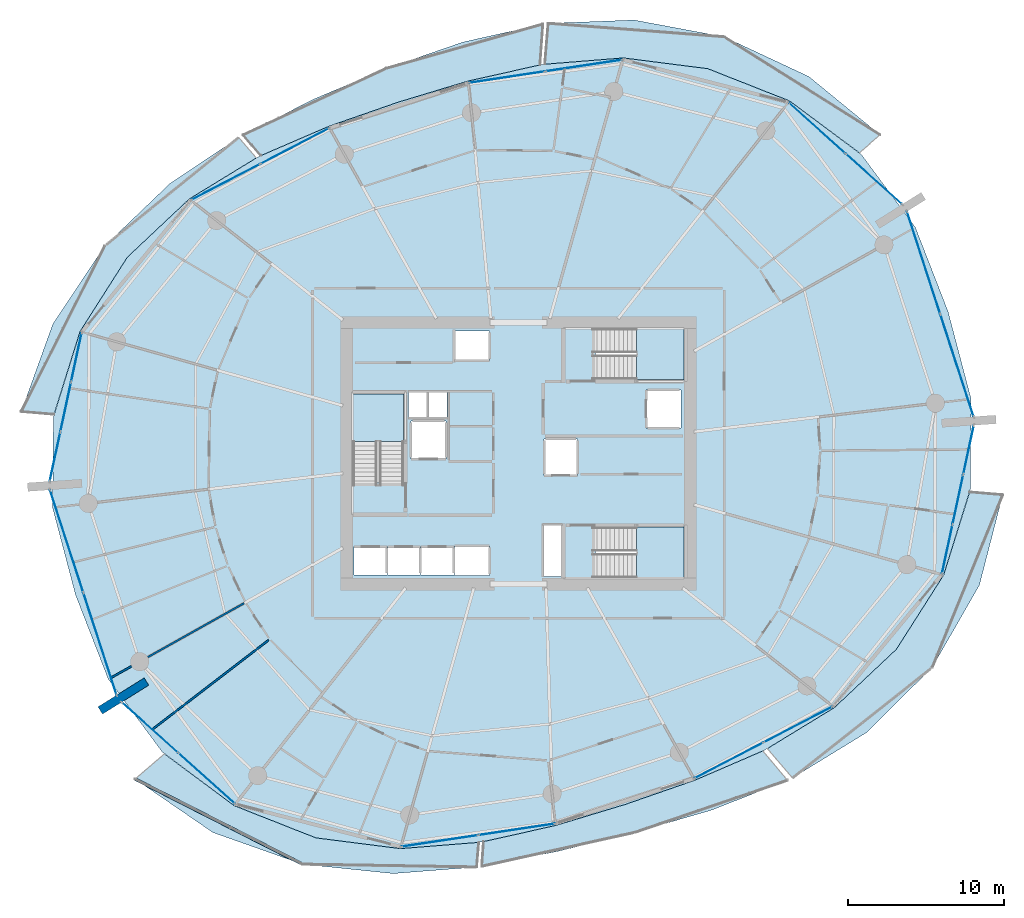
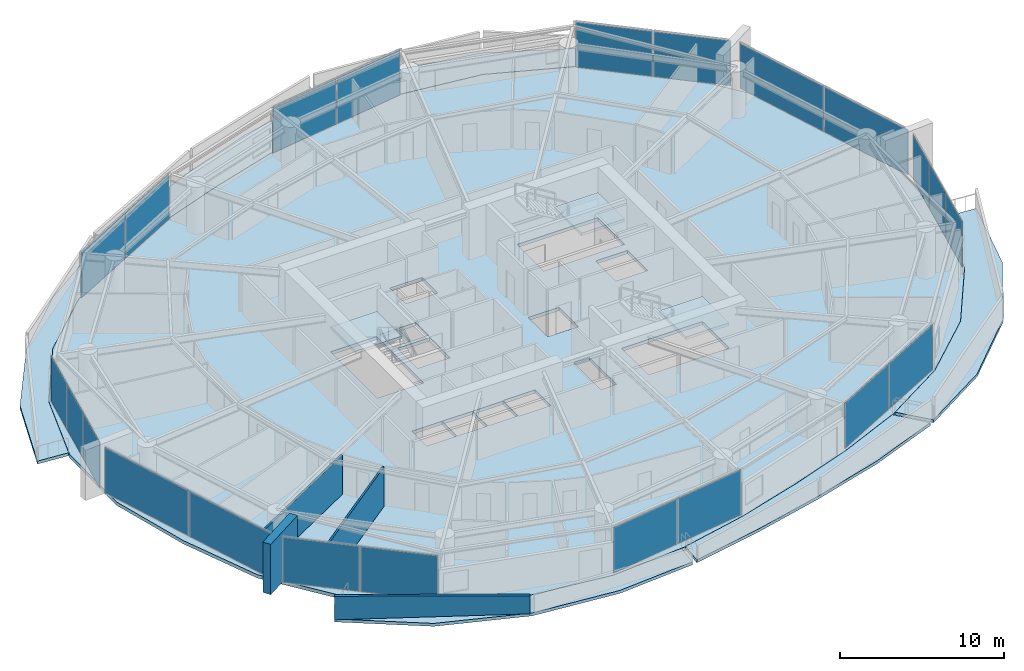
# One storey, part 10 of 22: 22 plates, 10 slabs, 4 walls, 13 elements without a shape of their own.
"""IFC4 building model written with IfcOpenShell, lengths in metres."""

import ifcopenshell
import ifcopenshell.guid

model = None  # the IFC model being written
_history = None  # IfcOwnerHistory: only IFC2X3 demands one
_inside = {}  # id of a spatial element -> (the spatial element, [elements in it])
_under = {}  # id of a project, library or spatial element -> (it, [spatial elements below it])
_declared = {}  # id of a project -> (the project, [libraries it declares])
_typed = {}  # id of a type object -> (the type object, [elements of that type])
_made_of = {}  # id of a material, layer set ... -> (it, [elements and type objects made of it])


def new_model(schema):
    """Start an empty IFC model of exactly this schema.

    Asked for "IFC4X3", IfcOpenShell would pick the latest addendum, in which some entities
    have other attributes; the version numbers below select the first issue.
    IFC2X3 requires an IfcOwnerHistory on every rooted entity: one is made here for all.
    """
    global model, _history
    if schema == "IFC4X3":
        model = ifcopenshell.file(schema_version=(4, 3, 0, 0))
    else:
        model = ifcopenshell.file(schema=schema)
    _inside.clear()
    _under.clear()
    _declared.clear()
    _typed.clear()
    _made_of.clear()
    _history = None
    if model.schema == "IFC2X3":
        org = make("IfcOrganization", Name="unknown")
        user = make(
            "IfcPersonAndOrganization",
            ThePerson=make("IfcPerson", FamilyName="unknown"),
            TheOrganization=org,
        )
        app = make(
            "IfcApplication",
            ApplicationDeveloper=org,
            Version="unknown",
            ApplicationFullName="unknown",
            ApplicationIdentifier="unknown",
        )
        _history = make(
            "IfcOwnerHistory",
            OwningUser=user,
            OwningApplication=app,
            ChangeAction="ADDED",
            CreationDate=0,
        )
    return model


def make(cls, **values):
    """One entity of the class cls with the attributes given. An attribute that is None is left unset."""
    return model.create_entity(
        cls, **{name: value for name, value in values.items() if value is not None}
    )


def rooted(cls, **values):
    """An entity with a GlobalId (a new one), such as an element, a storey or a relation."""
    return make(cls, GlobalId=ifcopenshell.guid.new(), OwnerHistory=_history, **values)


def si_unit(unit_type, name, prefix=None):
    """IfcSIUnit, for example si_unit("LENGTHUNIT", "METRE", prefix="MILLI")."""
    return make("IfcSIUnit", UnitType=unit_type, Prefix=prefix, Name=name)


def assignment(units):
    """IfcUnitAssignment: the units of a project."""
    return None if units is None else make("IfcUnitAssignment", Units=units)


def point(xyz):
    """IfcCartesianPoint."""
    return None if xyz is None else make("IfcCartesianPoint", Coordinates=xyz)


def direction(xyz):
    """IfcDirection."""
    return None if xyz is None else make("IfcDirection", DirectionRatios=xyz)


def frame(location, z_axis=None, x_axis=None):
    """IfcAxis2Placement3D, a coordinate frame: its origin and axes. An axis left out is left unset."""
    return make(
        "IfcAxis2Placement3D",
        Location=point(location),
        Axis=direction(z_axis),
        RefDirection=direction(x_axis),
    )


def frame_2d(location, x_axis=None):
    """IfcAxis2Placement2D, a coordinate frame in the plane: its origin and x axis."""
    return make(
        "IfcAxis2Placement2D", Location=point(location), RefDirection=direction(x_axis)
    )


def origin():
    """The frame at (0, 0, 0) with its axes left unset."""
    return frame((0.0, 0.0, 0.0))


def origin_2d():
    """The frame at (0, 0) in the plane with its x axis left unset."""
    return frame_2d((0.0, 0.0))


def place(relative_to, where):
    """IfcLocalPlacement: puts the frame where relative to a parent placement (None: the world)."""
    return make(
        "IfcLocalPlacement", PlacementRelTo=relative_to, RelativePlacement=where
    )


def context(
    kind, dimensions, precision=None, world=None, true_north=None, identifier=None
):
    """IfcGeometricRepresentationContext, for example the 3D "Model" context."""
    return make(
        "IfcGeometricRepresentationContext",
        ContextIdentifier=identifier,
        ContextType=kind,
        CoordinateSpaceDimension=dimensions,
        Precision=precision,
        WorldCoordinateSystem=world,
        TrueNorth=true_north,
    )


def subcontext(parent, identifier, kind, view, scale=None):
    """IfcGeometricRepresentationSubContext, for example "Body" below "Model"."""
    return make(
        "IfcGeometricRepresentationSubContext",
        ContextIdentifier=identifier,
        ContextType=kind,
        ParentContext=parent,
        TargetScale=scale,
        TargetView=view,
    )


def project(units=None, contexts=None):
    """IfcProject with its units and contexts."""
    return rooted(
        "IfcProject",
        Name="project",
        RepresentationContexts=contexts,
        UnitsInContext=assignment(units),
    )


def spatial(cls, under=None, at=None, **own):
    """A site, building, storey or space (cls), placed at a placement, below another one or the project."""
    s = rooted(cls, ObjectPlacement=at, **own)
    if under is not None:
        _under.setdefault(under.id(), (under, []))[1].append(s)
    return s


def polyline(points):
    """IfcPolyline through the points."""
    return make("IfcPolyline", Points=[point(p) for p in points])


def profile(cls, at=None, kind="AREA", **sizes):
    """A parametric profile (cls). Its sizes go by their IFC names, for example OverallWidth=200.0."""
    return make(cls, ProfileType=kind, Position=at, **sizes)


def rectangle(**sizes):
    """IfcRectangleProfileDef."""
    return profile("IfcRectangleProfileDef", **sizes)


def outline(outer, holes=None, kind="AREA"):
    """IfcArbitraryClosedProfileDef: a profile drawn as a closed curve; with holes, ...WithVoids."""
    if holes is None:
        return make("IfcArbitraryClosedProfileDef", ProfileType=kind, OuterCurve=outer)
    return make(
        "IfcArbitraryProfileDefWithVoids",
        ProfileType=kind,
        OuterCurve=outer,
        InnerCurves=holes,
    )


def extrude(swept, where, along, depth):
    """IfcExtrudedAreaSolid: the profile swept, set in the frame where, extruded along a direction by depth."""
    return make(
        "IfcExtrudedAreaSolid",
        SweptArea=swept,
        Position=where,
        ExtrudedDirection=direction(along),
        Depth=depth,
    )


def shape(context_of_items, identifier, shape_type, items):
    """IfcShapeRepresentation: the items that make up one representation, for example the "Body"."""
    return make(
        "IfcShapeRepresentation",
        ContextOfItems=context_of_items,
        RepresentationIdentifier=identifier,
        RepresentationType=shape_type,
        Items=items,
    )


def material(Name=None, Category=None):
    """IfcMaterial."""
    return make("IfcMaterial", Name=Name, Category=Category)


def layer(
    of_material, thickness, ventilated=None, Name=None, Category=None, Priority=None
):
    """IfcMaterialLayer: one layer of a wall or slab, of a material (None: an air gap)."""
    return make(
        "IfcMaterialLayer",
        Material=of_material,
        LayerThickness=thickness,
        IsVentilated=ventilated,
        Name=Name,
        Category=Category,
        Priority=Priority,
    )


def layer_set(layers, Name=None):
    """IfcMaterialLayerSet."""
    return make("IfcMaterialLayerSet", MaterialLayers=layers, LayerSetName=Name)


def made_of(thing, what):
    """Note that an element or type object is made of a material, layer set ...; save() writes the relation."""
    if what is not None:
        _made_of.setdefault(what.id(), (what, []))[1].append(thing)
    return thing


def type_object(cls, material=None, **own):
    """A type object (cls), such as IfcWallType, which elements share."""
    return made_of(rooted(cls, **own), material)


def element(
    cls,
    number,
    at=None,
    inside=None,
    cuts=None,
    type_object=None,
    material=None,
    context=None,
    identifier="Body",
    shape_type=None,
    held_by="IfcProductDefinitionShape",
    body=None,
    shapes=None,
    **own,
):
    """One element of the class cls, such as IfcWall. Its Tag is "e" and its number.

    at: its placement. inside: the storey or other place that contains it. cuts: it is an
    opening in that element (IfcRelVoidsElement). A single representation is given by context,
    identifier, shape_type and body (its items); several are given by shapes. held_by: the class
    of the entity that holds the representations. save() writes the other relations.
    """
    e = rooted(cls, Tag="e%d" % number, ObjectPlacement=at, **own)
    if body is not None:
        shapes = [shape(context, identifier, shape_type, body)]
    if shapes is not None:
        e.Representation = make(held_by, Representations=shapes)
    if inside is not None:
        _inside.setdefault(inside.id(), (inside, []))[1].append(e)
    if cuts is not None:
        rooted(
            "IfcRelVoidsElement", RelatingBuildingElement=cuts, RelatedOpeningElement=e
        )
    if type_object is not None:
        _typed.setdefault(type_object.id(), (type_object, []))[1].append(e)
    return made_of(e, material)


def aggregate(whole, parts):
    """IfcRelAggregates: a whole, such as a stair, and the parts it consists of."""
    return rooted("IfcRelAggregates", RelatingObject=whole, RelatedObjects=parts)


def save(model, path):
    """Write the relations noted so far, then the file.

    IfcRelAggregates (storeys below a building ...), IfcRelContainedInSpatialStructure (elements
    in a storey), IfcRelDefinesByType, IfcRelAssociatesMaterial and IfcRelDeclares: one each for
    every whole, place, type object, material and project.
    """
    for whole, parts in _under.values():
        aggregate(whole, parts)
    for where, things in _inside.values():
        rooted(
            "IfcRelContainedInSpatialStructure",
            RelatedElements=things,
            RelatingStructure=where,
        )
    for kind, things in _typed.values():
        rooted("IfcRelDefinesByType", RelatedObjects=things, RelatingType=kind)
    for what, things in _made_of.values():
        rooted("IfcRelAssociatesMaterial", RelatedObjects=things, RelatingMaterial=what)
    for by, libraries in _declared.values():
        rooted("IfcRelDeclares", RelatingContext=by, RelatedDefinitions=libraries)
    model.write(path)


model = new_model("IFC4")

# Units and contexts
model_context = context("Model", 3, precision=1e-05, world=origin(), true_north=direction((0.0, 1.0)))
body_context = subcontext(model_context, "Body", "Model", "MODEL_VIEW")
ifc_project = project(units=[si_unit("LENGTHUNIT", "METRE"), si_unit("AREAUNIT", "SQUARE_METRE"), si_unit("VOLUMEUNIT", "CUBIC_METRE"), si_unit("PLANEANGLEUNIT", "RADIAN"), si_unit("MASSUNIT", "GRAM", prefix="KILO")], contexts=[model_context])

# Site, building, storey
site_placement = place(None, origin())
site = spatial("IfcSite", under=ifc_project, at=site_placement, CompositionType="ELEMENT")
building_placement = place(site_placement, origin())
building = spatial("IfcBuilding", under=site, at=building_placement, Name="Kazma Halo Residences", CompositionType="ELEMENT")
storey_placement = place(building_placement, frame((0.0, 0.0, 93.89990234375)))
storey = spatial("IfcBuildingStorey", under=building, at=storey_placement, Name="L23", CompositionType="ELEMENT", Elevation=93.89990234375)

# Curtain wall, plates
ifc_material_1 = material(Name="Aluminium AW-6063 T6 and Triple-Silver Low-E Glass", Category="aluminium")
ifc_layer_1 = layer(ifc_material_1, 0.199951171875)
ifc_layer_set_1 = layer_set([ifc_layer_1], Name="Aluminium AW-6063 T6 and Triple-Silver Low-E Glass")
curtain_wall_type = type_object("IfcCurtainWallType", Name="CW-SYS-3", PredefinedType="NOTDEFINED", material=ifc_layer_set_1)
curtain_wall_1_placement = place(storey_placement, origin())
curtain_wall_1 = element("IfcCurtainWall", 1, at=curtain_wall_1_placement, inside=storey, type_object=curtain_wall_type, Name="L23 unitised curtain wall B01", PredefinedType="NOTDEFINED")
ifc_material_2 = material(Name="Clear Triple-Silver Low-E Glass IGU", Category="glass")
ifc_layer_2 = layer(ifc_material_2, 0.030029296875)
ifc_layer_set_2 = layer_set([ifc_layer_2], Name="Clear Triple-Silver Low-E Glass IGU")
plate_type = type_object("IfcPlateType", Name="CW-SYS-3-PNL", PredefinedType="CURTAIN_PANEL", material=ifc_layer_set_2)
plate_1_placement = place(storey_placement, frame((71.251220703125, 59.614013671875, 0.06982421875), z_axis=(0.0, 0.0, 1.0), x_axis=(-0.744345279359, 0.667794957375, 0.0)))
plate_1 = element("IfcPlate", 2, at=plate_1_placement, type_object=plate_type, Name="CWS-3 panel 1.1", PredefinedType="CURTAIN_PANEL", context=body_context, shape_type="SweptSolid", body=[
    extrude(rectangle(XDim=4.81982421875, YDim=0.030029296875, at=origin_2d()), origin(), (0.0, 0.0, 1.0), 3.360107421875),
])
plate_2_placement = place(storey_placement, frame((67.611572265625, 62.87939453125, 0.06982421875), z_axis=(0.0, 0.0, 1.0), x_axis=(-0.744345279359, 0.667794957375, 0.0)))
plate_2 = element("IfcPlate", 3, at=plate_2_placement, type_object=plate_type, Name="CWS-3 panel 2.1", PredefinedType="CURTAIN_PANEL", context=body_context, shape_type="SweptSolid", body=[
    extrude(rectangle(XDim=4.81982421875, YDim=0.030029296875, at=origin_2d()), origin(), (0.0, 0.0, 1.0), 3.360107421875),
])
aggregate(curtain_wall_1, [plate_1, plate_2])

curtain_wall_2_placement = place(storey_placement, origin())
curtain_wall_2 = element("IfcCurtainWall", 4, at=curtain_wall_2_placement, inside=storey, type_object=curtain_wall_type, Name="L23 unitised curtain wall B03", PredefinedType="NOTDEFINED")
plate_3_placement = place(storey_placement, frame((52.625732421875, 66.900390625, 0.06982421875), z_axis=(0.0, 0.0, 1.0), x_axis=(-0.988879747814, -0.148717330409, 0.0)))
plate_3 = element("IfcPlate", 5, at=plate_3_placement, type_object=plate_type, Name="CWS-3 panel 1.1", PredefinedType="CURTAIN_PANEL", context=body_context, shape_type="SweptSolid", body=[
    extrude(rectangle(XDim=4.922607421875, YDim=0.030029296875, at=origin_2d()), origin(), (0.0, 0.0, 1.0), 3.360107421875),
])
plate_4_placement = place(storey_placement, frame((47.6884765625, 66.157958984375, 0.06982421875), z_axis=(0.0, 0.0, 1.0), x_axis=(-0.988879747814, -0.148717330409, 0.0)))
plate_4 = element("IfcPlate", 6, at=plate_4_placement, type_object=plate_type, Name="CWS-3 panel 2.1", PredefinedType="CURTAIN_PANEL", context=body_context, shape_type="SweptSolid", body=[
    extrude(rectangle(XDim=4.922607421875, YDim=0.030029296875, at=origin_2d()), origin(), (0.0, 0.0, 1.0), 3.360107421875),
])
aggregate(curtain_wall_2, [plate_3, plate_4])

curtain_wall_3_placement = place(storey_placement, origin())
curtain_wall_3 = element("IfcCurtainWall", 7, at=curtain_wall_3_placement, inside=storey, type_object=curtain_wall_type, Name="L23 unitised curtain wall B05", PredefinedType="NOTDEFINED")
plate_5_placement = place(storey_placement, frame((34.052490234375, 61.727294921875, 0.06982421875), z_axis=(0.0, 0.0, 1.0), x_axis=(-0.887435374749, -0.460932159481, 0.0)))
plate_5 = element("IfcPlate", 8, at=plate_5_placement, type_object=plate_type, Name="CWS-3 panel 1.1", PredefinedType="CURTAIN_PANEL", context=body_context, shape_type="SweptSolid", body=[
    extrude(rectangle(XDim=4.9228515625, YDim=0.030029296875, at=origin_2d()), origin(), (0.0, 0.0, 1.0), 3.360107421875),
])
plate_6_placement = place(storey_placement, frame((29.62158203125, 59.426025390625, 0.06982421875), z_axis=(0.0, 0.0, 1.0), x_axis=(-0.887435374749, -0.460932159481, 0.0)))
plate_6 = element("IfcPlate", 9, at=plate_6_placement, type_object=plate_type, Name="CWS-3 panel 2.1", PredefinedType="CURTAIN_PANEL", context=body_context, shape_type="SweptSolid", body=[
    extrude(rectangle(XDim=4.9228515625, YDim=0.030029296875, at=origin_2d()), origin(), (0.0, 0.0, 1.0), 3.360107421875),
])
aggregate(curtain_wall_3, [plate_5, plate_6])

curtain_wall_4_placement = place(storey_placement, origin())
curtain_wall_4 = element("IfcCurtainWall", 10, at=curtain_wall_4_placement, inside=storey, type_object=curtain_wall_type, Name="L23 unitised curtain wall B07", PredefinedType="NOTDEFINED")
plate_7_placement = place(storey_placement, frame((20.033447265625, 48.1669921875, 0.06982421875), z_axis=(0.0, 0.0, 1.0), x_axis=(-0.209660822677, -0.977774176093, 0.0)))
plate_7 = element("IfcPlate", 11, at=plate_7_placement, type_object=plate_type, Name="CWS-3 panel 1.1", PredefinedType="CURTAIN_PANEL", context=body_context, shape_type="SweptSolid", body=[
    extrude(rectangle(XDim=3.17822265625, YDim=0.030029296875, at=origin_2d()), origin(), (0.0, 0.0, 1.0), 3.360107421875),
])
plate_8_placement = place(storey_placement, frame((19.3486328125, 44.973876953125, 0.06982421875), z_axis=(0.0, 0.0, 1.0), x_axis=(-0.209660822677, -0.977774176093, 0.0)))
plate_8 = element("IfcPlate", 12, at=plate_8_placement, type_object=plate_type, Name="CWS-3 panel 2.1", PredefinedType="CURTAIN_PANEL", context=body_context, shape_type="SweptSolid", body=[
    extrude(rectangle(XDim=3.213134765625, YDim=0.030029296875, at=origin_2d()), origin(), (0.0, 0.0, 1.0), 3.360107421875),
])
plate_9_placement = place(storey_placement, frame((18.6640625, 41.78076171875, 0.06982421875), z_axis=(0.0, 0.0, 1.0), x_axis=(-0.209660822677, -0.977774176093, 0.0)))
plate_9 = element("IfcPlate", 13, at=plate_9_placement, type_object=plate_type, Name="CWS-3 panel 3.1", PredefinedType="CURTAIN_PANEL", context=body_context, shape_type="SweptSolid", body=[
    extrude(rectangle(XDim=3.17822265625, YDim=0.030029296875, at=origin_2d()), origin(), (0.0, 0.0, 1.0), 3.360107421875),
])
aggregate(curtain_wall_4, [plate_7, plate_8, plate_9])

curtain_wall_5_placement = place(storey_placement, origin())
curtain_wall_5 = element("IfcCurtainWall", 14, at=curtain_wall_5_placement, inside=storey, type_object=curtain_wall_type, Name="L23 unitised curtain wall B08", PredefinedType="NOTDEFINED")
plate_10_placement = place(storey_placement, frame((19.40673828125, 36.357421875, 0.06982421875), z_axis=(0.0, 0.0, 1.0), x_axis=(0.309013282008, -0.951057722508, 0.0)))
plate_10 = element("IfcPlate", 15, at=plate_10_placement, type_object=plate_type, Name="CWS-3 panel 1.1", PredefinedType="CURTAIN_PANEL", context=body_context, shape_type="SweptSolid", body=[
    extrude(rectangle(XDim=6.868896484375, YDim=0.030029296875, at=origin_2d()), origin(), (0.0, 0.0, 1.0), 3.360107421875),
])
plate_11_placement = place(storey_placement, frame((21.551025390625, 29.758056640625, 0.06982421875), z_axis=(0.0, 0.0, 1.0), x_axis=(0.309013282008, -0.951057722508, 0.0)))
plate_11 = element("IfcPlate", 16, at=plate_11_placement, type_object=plate_type, Name="CWS-3 panel 2.1", PredefinedType="CURTAIN_PANEL", context=body_context, shape_type="SweptSolid", body=[
    extrude(rectangle(XDim=6.868896484375, YDim=0.030029296875, at=origin_2d()), origin(), (0.0, 0.0, 1.0), 3.360107421875),
])
aggregate(curtain_wall_5, [plate_10, plate_11])

curtain_wall_6_placement = place(storey_placement, origin())
curtain_wall_6 = element("IfcCurtainWall", 17, at=curtain_wall_6_placement, inside=storey, type_object=curtain_wall_type, Name="L23 unitised curtain wall B09", PredefinedType="NOTDEFINED")
plate_12_placement = place(storey_placement, frame((24.748779296875, 24.385986328125, 0.06982421875), z_axis=(0.0, 0.0, 1.0), x_axis=(0.744345279359, -0.667794957375, 0.0)))
plate_12 = element("IfcPlate", 18, at=plate_12_placement, type_object=plate_type, Name="CWS-3 panel 1.1", PredefinedType="CURTAIN_PANEL", context=body_context, shape_type="SweptSolid", body=[
    extrude(rectangle(XDim=4.81982421875, YDim=0.030029296875, at=origin_2d()), origin(), (0.0, 0.0, 1.0), 3.360107421875),
])
plate_13_placement = place(storey_placement, frame((28.388427734375, 21.12060546875, 0.06982421875), z_axis=(0.0, 0.0, 1.0), x_axis=(0.744345279359, -0.667794957375, 0.0)))
plate_13 = element("IfcPlate", 19, at=plate_13_placement, type_object=plate_type, Name="CWS-3 panel 2.1", PredefinedType="CURTAIN_PANEL", context=body_context, shape_type="SweptSolid", body=[
    extrude(rectangle(XDim=4.81982421875, YDim=0.030029296875, at=origin_2d()), origin(), (0.0, 0.0, 1.0), 3.360107421875),
])
aggregate(curtain_wall_6, [plate_12, plate_13])

curtain_wall_7_placement = place(storey_placement, origin())
curtain_wall_7 = element("IfcCurtainWall", 20, at=curtain_wall_7_placement, inside=storey, type_object=curtain_wall_type, Name="L23 unitised curtain wall B11", PredefinedType="NOTDEFINED")
plate_14_placement = place(storey_placement, frame((43.374267578125, 17.099609375, 0.06982421875), z_axis=(0.0, 0.0, 1.0), x_axis=(0.988879747814, 0.148717330409, 0.0)))
plate_14 = element("IfcPlate", 21, at=plate_14_placement, type_object=plate_type, Name="CWS-3 panel 1.1", PredefinedType="CURTAIN_PANEL", context=body_context, shape_type="SweptSolid", body=[
    extrude(rectangle(XDim=4.922607421875, YDim=0.030029296875, at=origin_2d()), origin(), (0.0, 0.0, 1.0), 3.360107421875),
])
plate_15_placement = place(storey_placement, frame((48.3115234375, 17.842041015625, 0.06982421875), z_axis=(0.0, 0.0, 1.0), x_axis=(0.988879747814, 0.148717330409, 0.0)))
plate_15 = element("IfcPlate", 22, at=plate_15_placement, type_object=plate_type, Name="CWS-3 panel 2.1", PredefinedType="CURTAIN_PANEL", context=body_context, shape_type="SweptSolid", body=[
    extrude(rectangle(XDim=4.922607421875, YDim=0.030029296875, at=origin_2d()), origin(), (0.0, 0.0, 1.0), 3.360107421875),
])
aggregate(curtain_wall_7, [plate_14, plate_15])

curtain_wall_8_placement = place(storey_placement, origin())
curtain_wall_8 = element("IfcCurtainWall", 23, at=curtain_wall_8_placement, inside=storey, type_object=curtain_wall_type, Name="L23 unitised curtain wall B13", PredefinedType="NOTDEFINED")
plate_16_placement = place(storey_placement, frame((61.947509765625, 22.272705078125, 0.06982421875), z_axis=(0.0, 0.0, 1.0), x_axis=(0.887435374749, 0.460932159481, 0.0)))
plate_16 = element("IfcPlate", 24, at=plate_16_placement, type_object=plate_type, Name="CWS-3 panel 1.1", PredefinedType="CURTAIN_PANEL", context=body_context, shape_type="SweptSolid", body=[
    extrude(rectangle(XDim=4.9228515625, YDim=0.030029296875, at=origin_2d()), origin(), (0.0, 0.0, 1.0), 3.360107421875),
])
plate_17_placement = place(storey_placement, frame((66.37841796875, 24.573974609375, 0.06982421875), z_axis=(0.0, 0.0, 1.0), x_axis=(0.887435374749, 0.460932159481, 0.0)))
plate_17 = element("IfcPlate", 25, at=plate_17_placement, type_object=plate_type, Name="CWS-3 panel 2.1", PredefinedType="CURTAIN_PANEL", context=body_context, shape_type="SweptSolid", body=[
    extrude(rectangle(XDim=4.9228515625, YDim=0.030029296875, at=origin_2d()), origin(), (0.0, 0.0, 1.0), 3.360107421875),
])
aggregate(curtain_wall_8, [plate_16, plate_17])

curtain_wall_9_placement = place(storey_placement, origin())
curtain_wall_9 = element("IfcCurtainWall", 26, at=curtain_wall_9_placement, inside=storey, type_object=curtain_wall_type, Name="L23 unitised curtain wall B15", PredefinedType="NOTDEFINED")
plate_18_placement = place(storey_placement, frame((75.966552734375, 35.8330078125, 0.06982421875), z_axis=(0.0, 0.0, 1.0), x_axis=(0.209660822677, 0.977774176093, 0.0)))
plate_18 = element("IfcPlate", 27, at=plate_18_placement, type_object=plate_type, Name="CWS-3 panel 1.1", PredefinedType="CURTAIN_PANEL", context=body_context, shape_type="SweptSolid", body=[
    extrude(rectangle(XDim=3.17822265625, YDim=0.030029296875, at=origin_2d()), origin(), (0.0, 0.0, 1.0), 3.360107421875),
])
plate_19_placement = place(storey_placement, frame((76.6513671875, 39.026123046875, 0.06982421875), z_axis=(0.0, 0.0, 1.0), x_axis=(0.209660822677, 0.977774176093, 0.0)))
plate_19 = element("IfcPlate", 28, at=plate_19_placement, type_object=plate_type, Name="CWS-3 panel 2.1", PredefinedType="CURTAIN_PANEL", context=body_context, shape_type="SweptSolid", body=[
    extrude(rectangle(XDim=3.213134765625, YDim=0.030029296875, at=origin_2d()), origin(), (0.0, 0.0, 1.0), 3.360107421875),
])
plate_20_placement = place(storey_placement, frame((77.3359375, 42.21923828125, 0.06982421875), z_axis=(0.0, 0.0, 1.0), x_axis=(0.209660822677, 0.977774176093, 0.0)))
plate_20 = element("IfcPlate", 29, at=plate_20_placement, type_object=plate_type, Name="CWS-3 panel 3.1", PredefinedType="CURTAIN_PANEL", context=body_context, shape_type="SweptSolid", body=[
    extrude(rectangle(XDim=3.17822265625, YDim=0.030029296875, at=origin_2d()), origin(), (0.0, 0.0, 1.0), 3.360107421875),
])
aggregate(curtain_wall_9, [plate_18, plate_19, plate_20])

curtain_wall_10_placement = place(storey_placement, origin())
curtain_wall_10 = element("IfcCurtainWall", 30, at=curtain_wall_10_placement, inside=storey, type_object=curtain_wall_type, Name="L23 unitised curtain wall B16", PredefinedType="NOTDEFINED")
plate_21_placement = place(storey_placement, frame((76.59326171875, 47.642578125, 0.06982421875), z_axis=(0.0, 0.0, 1.0), x_axis=(-0.309013282008, 0.951057722508, 0.0)))
plate_21 = element("IfcPlate", 31, at=plate_21_placement, type_object=plate_type, Name="CWS-3 panel 1.1", PredefinedType="CURTAIN_PANEL", context=body_context, shape_type="SweptSolid", body=[
    extrude(rectangle(XDim=6.868896484375, YDim=0.030029296875, at=origin_2d()), origin(), (0.0, 0.0, 1.0), 3.360107421875),
])
plate_22_placement = place(storey_placement, frame((74.448974609375, 54.241943359375, 0.06982421875), z_axis=(0.0, 0.0, 1.0), x_axis=(-0.309013282008, 0.951057722508, 0.0)))
plate_22 = element("IfcPlate", 32, at=plate_22_placement, type_object=plate_type, Name="CWS-3 panel 2.1", PredefinedType="CURTAIN_PANEL", context=body_context, shape_type="SweptSolid", body=[
    extrude(rectangle(XDim=6.868896484375, YDim=0.030029296875, at=origin_2d()), origin(), (0.0, 0.0, 1.0), 3.360107421875),
])
aggregate(curtain_wall_10, [plate_21, plate_22])

# Slabs
ifc_material_3 = material(Name="White Concrete C50/60", Category="concrete")
ifc_layer_3 = layer(ifc_material_3, 0.219970703125)
ifc_layer_set_3 = layer_set([ifc_layer_3], Name="White Concrete C50/60")
slab_type_1 = type_object("IfcSlabType", Name="SLB-BAL-WAVE-210", PredefinedType="FLOOR", material=ifc_layer_set_3)
slab_1_placement = place(storey_placement, frame((0.0, 0.0, -0.219970703125)))
element("IfcSlab", 33, at=slab_1_placement, inside=storey, type_object=slab_type_1, Name="L23 NE cantilevered wave balcony slab", PredefinedType="FLOOR", context=body_context, shape_type="SweptSolid", body=[
    extrude(outline(polyline([(70.323974609375, 61.303466796875), (65.841064453125, 64.63134765625), (60.5869140625, 66.702880859375), (55.161865234375, 67.394287109375), (50.12060546875, 66.992431640625), (50.343017578125, 69.61279296875), (55.848876953125, 69.82958984375), (61.629638671875, 68.74951171875), (67.0771484375, 66.19921875), (71.654541015625, 62.4541015625), (70.323974609375, 61.303466796875)])), origin(), (0.0, 0.0, 1.0), 0.219970703125),
])
slab_2_placement = place(storey_placement, frame((0.0, 0.0, -0.219970703125)))
element("IfcSlab", 34, at=slab_2_placement, inside=storey, type_object=slab_type_1, Name="L23 NNW cantilevered wave balcony slab", PredefinedType="FLOOR", context=body_context, shape_type="SweptSolid", body=[
    extrude(outline(polyline([(49.81005859375, 66.94580078125), (45.1708984375, 65.902587890625), (40.675048828125, 64.544189453125), (36.239013671875, 63.00048828125), (31.872802734375, 61.11767578125), (30.748291015625, 62.450927734375), (35.263671875, 64.742431640625), (39.965087890625, 66.728759765625), (44.87353515625, 68.41552734375), (50.0, 69.56396484375), (49.81005859375, 66.94580078125)])), origin(), (0.0, 0.0, 1.0), 0.219970703125),
])
slab_3_placement = place(storey_placement, frame((0.0, 0.0, -0.219970703125)))
element("IfcSlab", 35, at=slab_3_placement, inside=storey, type_object=slab_type_1, Name="L23 NW cantilevered wave balcony slab", PredefinedType="FLOOR", context=body_context, shape_type="SweptSolid", body=[
    extrude(outline(polyline([(31.59423828125, 60.972900390625), (27.279541015625, 58.334716796875), (23.297119140625, 54.5869140625), (20.263916015625, 49.822509765625), (18.59326171875, 44.4951171875), (16.490234375, 44.673583984375), (18.522705078125, 50.3134765625), (21.855712890625, 55.321044921875), (26.032470703125, 59.31787109375), (30.458984375, 62.285400390625), (31.59423828125, 60.972900390625)])), origin(), (0.0, 0.0, 1.0), 0.219970703125),
])
slab_4_placement = place(storey_placement, frame((0.0, 0.0, -0.219970703125)))
element("IfcSlab", 36, at=slab_4_placement, inside=storey, type_object=slab_type_1, Name="L23 SW cantilevered wave balcony slab", PredefinedType="FLOOR", context=body_context, shape_type="SweptSolid", body=[
    extrude(outline(polyline([(25.676025390625, 22.696533203125), (30.158935546875, 19.36865234375), (35.4130859375, 17.297119140625), (40.838134765625, 16.605712890625), (45.87939453125, 17.007568359375), (45.744873046875, 15.42333984375), (40.385986328125, 15.002685546875), (34.551025390625, 15.60498046875), (28.797119140625, 17.641357421875), (23.79931640625, 21.07373046875), (25.676025390625, 22.696533203125)])), origin(), (0.0, 0.0, 1.0), 0.219970703125),
])
slab_5_placement = place(storey_placement, frame((0.0, 0.0, -0.219970703125)))
element("IfcSlab", 37, at=slab_5_placement, inside=storey, type_object=slab_type_1, Name="L23 SSE cantilevered wave balcony slab", PredefinedType="FLOOR", context=body_context, shape_type="SweptSolid", body=[
    extrude(outline(polyline([(46.18994140625, 17.05419921875), (50.8291015625, 18.097412109375), (55.324951171875, 19.455810546875), (59.760986328125, 20.99951171875), (64.127197265625, 22.88232421875), (65.71728515625, 20.997314453125), (60.835693359375, 19.08056640625), (55.911865234375, 17.64990234375), (51.02490234375, 16.443359375), (46.0751953125, 15.47314453125), (46.18994140625, 17.05419921875)])), origin(), (0.0, 0.0, 1.0), 0.219970703125),
])
slab_6_placement = place(storey_placement, frame((0.0, 0.0, -0.219970703125)))
element("IfcSlab", 38, at=slab_6_placement, inside=storey, type_object=slab_type_1, Name="L23 SE cantilevered wave balcony slab", PredefinedType="FLOOR", context=body_context, shape_type="SweptSolid", body=[
    extrude(outline(polyline([(64.40576171875, 23.027099609375), (68.720458984375, 25.665283203125), (72.702880859375, 29.4130859375), (75.736083984375, 34.177490234375), (77.40673828125, 39.5048828125), (79.52880859375, 39.32470703125), (78.033447265625, 33.52978515625), (75.000244140625, 28.24267578125), (70.768798828125, 24.050537109375), (66.03076171875, 21.148193359375), (64.40576171875, 23.027099609375)])), origin(), (0.0, 0.0, 1.0), 0.219970703125),
])
ifc_material_4 = material(Name="Concrete C50/60", Category="concrete")
ifc_layer_4 = layer(ifc_material_4, 0.25)
ifc_layer_set_4 = layer_set([ifc_layer_4], Name="Concrete C50/60")
slab_type_2 = type_object("IfcSlabType", Name="SLB-RES-250", PredefinedType="FLOOR", material=ifc_layer_set_4)
slab_7_placement = place(storey_placement, frame((0.0, 0.0, -0.25)))
element("IfcSlab", 39, at=slab_7_placement, inside=storey, type_object=slab_type_2, Name="L23 structural floor slab", PredefinedType="FLOOR", context=body_context, shape_type="SweptSolid", body=[
    extrude(outline(polyline([(76.02001953125, 51.104248046875), (73.918212890625, 56.514892578125), (70.459716796875, 61.182373046875), (65.83984375, 64.629638671875), (60.5859375, 66.701171875), (55.161376953125, 67.392333984375), (49.9658203125, 66.976806640625), (45.171142578125, 65.900634765625), (40.675537109375, 64.542236328125), (36.239990234375, 62.998779296875), (31.728759765625, 61.05126953125), (27.281005859375, 58.33349609375), (23.298828125, 54.5859375), (20.265869140625, 49.82177734375), (18.554443359375, 44.3173828125), (18.500244140625, 38.508544921875), (19.97998046875, 32.895751953125), (22.081787109375, 27.485107421875), (25.540283203125, 22.817626953125), (30.16015625, 19.370361328125), (35.4140625, 17.298828125), (40.838623046875, 16.607666015625), (46.0341796875, 17.023193359375), (50.828857421875, 18.099365234375), (55.324462890625, 19.457763671875), (59.760009765625, 21.001220703125), (64.271240234375, 22.94873046875), (68.718994140625, 25.66650390625), (72.701171875, 29.4140625), (75.734130859375, 34.17822265625), (77.445556640625, 39.6826171875), (77.499755859375, 45.491455078125), (76.02001953125, 51.104248046875)]), holes=[polyline([(37.800048828125, 40.110107421875), (41.050048828125, 40.110107421875), (41.050048828125, 45.800048828125), (37.800048828125, 45.800048828125), (37.800048828125, 40.110107421875)]), polyline([(53.360107421875, 46.75), (59.050048828125, 46.75), (59.050048828125, 50.0), (53.360107421875, 50.0), (53.360107421875, 46.75)]), polyline([(53.360107421875, 34.0), (59.050048828125, 34.0), (59.050048828125, 37.25), (53.360107421875, 37.25), (53.360107421875, 34.0)]), polyline([(41.52001953125, 41.6201171875), (43.780029296875, 41.6201171875), (43.780029296875, 44.080078125), (41.52001953125, 44.080078125), (41.52001953125, 41.6201171875)]), polyline([(56.6201171875, 43.6201171875), (58.8798828125, 43.6201171875), (58.8798828125, 46.080078125), (56.6201171875, 46.080078125), (56.6201171875, 43.6201171875)]), polyline([(37.864990234375, 34.195068359375), (39.97509765625, 34.195068359375), (39.97509765625, 36.0048828125), (37.864990234375, 36.0048828125), (37.864990234375, 34.195068359375)]), polyline([(40.014892578125, 34.195068359375), (42.125, 34.195068359375), (42.125, 36.0048828125), (40.014892578125, 36.0048828125), (40.014892578125, 34.195068359375)]), polyline([(42.1650390625, 34.195068359375), (44.27490234375, 34.195068359375), (44.27490234375, 36.0048828125), (42.1650390625, 36.0048828125), (42.1650390625, 34.195068359375)]), polyline([(44.320068359375, 47.945068359375), (46.580078125, 47.945068359375), (46.580078125, 49.85498046875), (44.320068359375, 49.85498046875), (44.320068359375, 47.945068359375)]), polyline([(44.320068359375, 34.14501953125), (46.580078125, 34.14501953125), (46.580078125, 36.054931640625), (44.320068359375, 36.054931640625), (44.320068359375, 34.14501953125)]), polyline([(50.070068359375, 40.570068359375), (52.22998046875, 40.570068359375), (52.22998046875, 42.929931640625), (50.070068359375, 42.929931640625), (50.070068359375, 40.570068359375)]), polyline([(41.360107421875, 44.340087890625), (42.5400390625, 44.340087890625), (42.5400390625, 45.89990234375), (41.360107421875, 45.89990234375), (41.360107421875, 44.340087890625)]), polyline([(42.659912109375, 44.340087890625), (43.840087890625, 44.340087890625), (43.840087890625, 45.89990234375), (42.659912109375, 45.89990234375), (42.659912109375, 44.340087890625)]), polyline([(50.06005859375, 34.080078125), (51.159912109375, 34.080078125), (51.159912109375, 37.3798828125), (50.06005859375, 37.3798828125), (50.06005859375, 34.080078125)])]), origin(), (0.0, 0.0, 1.0), 0.25),
])

# Stair, slab
stair_type = type_object("IfcStairType", Name="STR-RES1", PredefinedType="HALF_TURN_STAIR", material=ifc_material_4)
stair_1_placement = place(storey_placement, origin())
stair_1 = element("IfcStair", 40, at=stair_1_placement, inside=storey, type_object=stair_type, Name="L23 Core exit stair ST-01", PredefinedType="HALF_TURN_STAIR")
ifc_layer_5 = layer(ifc_material_4, 0.199951171875)
ifc_layer_set_5 = layer_set([ifc_layer_5], Name="Concrete C50/60")
slab_type_3 = type_object("IfcSlabType", Name="SLB-STAIR-LND-200", PredefinedType="LANDING", material=ifc_layer_set_5)
slab_8_placement = place(storey_placement, frame((0.0, 0.0, 1.675048828125)))
slab_8 = element("IfcSlab", 41, at=slab_8_placement, type_object=slab_type_3, Name="ST-01 landing 1", PredefinedType="LANDING", context=body_context, shape_type="SweptSolid", body=[
    extrude(outline(polyline([(41.050048828125, 42.75), (41.050048828125, 45.800048828125), (37.800048828125, 45.800048828125), (37.800048828125, 42.75), (41.050048828125, 42.75)])), origin(), (0.0, 0.0, 1.0), 0.199951171875),
])
aggregate(stair_1, [slab_8])

stair_2_placement = place(storey_placement, origin())
stair_2 = element("IfcStair", 42, at=stair_2_placement, inside=storey, type_object=stair_type, Name="L23 Core exit stair ST-02", PredefinedType="HALF_TURN_STAIR")
slab_9_placement = place(storey_placement, frame((0.0, 0.0, 1.675048828125)))
slab_9 = element("IfcSlab", 43, at=slab_9_placement, type_object=slab_type_3, Name="ST-02 landing 1", PredefinedType="LANDING", context=body_context, shape_type="SweptSolid", body=[
    extrude(outline(polyline([(56.0, 46.75), (59.050048828125, 46.75), (59.050048828125, 50.0), (56.0, 50.0), (56.0, 46.75)])), origin(), (0.0, 0.0, 1.0), 0.199951171875),
])
aggregate(stair_2, [slab_9])

stair_3_placement = place(storey_placement, origin())
stair_3 = element("IfcStair", 44, at=stair_3_placement, inside=storey, type_object=stair_type, Name="L23 Core exit stair ST-03", PredefinedType="HALF_TURN_STAIR")
slab_10_placement = place(storey_placement, frame((0.0, 0.0, 1.675048828125)))
slab_10 = element("IfcSlab", 45, at=slab_10_placement, type_object=slab_type_3, Name="ST-03 landing 1", PredefinedType="LANDING", context=body_context, shape_type="SweptSolid", body=[
    extrude(outline(polyline([(56.0, 34.0), (59.050048828125, 34.0), (59.050048828125, 37.25), (56.0, 37.25), (56.0, 34.0)])), origin(), (0.0, 0.0, 1.0), 0.199951171875),
])
aggregate(stair_3, [slab_10])

# Walls
ifc_material_5 = material(Name="White Concrete C50/60 Balustrade", Category="concrete")
ifc_layer_6 = layer(ifc_material_5, 0.179931640625)
ifc_layer_set_6 = layer_set([ifc_layer_6], Name="White Concrete C50/60 Balustrade")
wall_type_1 = type_object("IfcWallType", Name="WL-BAL-WAVE-180", PredefinedType="PARAPET", material=ifc_layer_set_6)
wall_1_placement = place(storey_placement, frame((23.79931640625, 21.07373046875, 0.0), z_axis=(0.0, 0.0, 1.0), x_axis=(0.891327308183, -0.453360375074, 0.0)))
element("IfcWall", 46, at=wall_1_placement, inside=storey, type_object=wall_type_1, Name="L23 white wave balustrade wall SW.1", PredefinedType="PARAPET", context=body_context, shape_type="SweptSolid", body=[
    extrude(outline(polyline([(0.0, 0.0), (11.942626953125, 0.0), (11.9423828125, 1.34814453125), (5.97119140625, 1.56201171875), (0.0, 1.7470703125), (0.0, 0.0)])), frame((0.0, 0.08984375, 0.0), z_axis=(0.0, -1.0, 0.0), x_axis=(1.0, 0.0, 0.0)), (0.0, 0.0, 1.0), 0.179931640625),
])
ifc_material_6 = material(Name="Pale Concrete C60/75", Category="concrete")
ifc_layer_7 = layer(ifc_material_6, 0.550048828125)
ifc_layer_set_7 = layer_set([ifc_layer_7], Name="Pale Concrete C60/75")
wall_type_2 = type_object("IfcWallType", Name="WL-BLADE-550", PredefinedType="SOLIDWALL", material=ifc_layer_set_7)
wall_2_placement = place(storey_placement, frame((24.531494140625, 27.335205078125, 0.0), z_axis=(0.0, 0.0, 1.0), x_axis=(-0.848053161125, -0.529911158502, 0.0)))
element("IfcWall", 47, at=wall_2_placement, inside=storey, type_object=wall_type_2, Name="L23 pale concrete structural blade fin wall BW-03", PredefinedType="SOLIDWALL", context=body_context, shape_type="SweptSolid", body=[
    extrude(rectangle(XDim=3.5, YDim=0.550048828125, at=frame_2d((1.75, 0.0))), origin(), (0.0, 0.0, 1.0), 3.75),
])
ifc_material_7 = material(Name="Gypsum Plasterboard Partition")
ifc_layer_8 = layer(ifc_material_7, 0.125)
ifc_layer_set_8 = layer_set([ifc_layer_8], Name="Gypsum Plasterboard Partition")
wall_type_3 = type_object("IfcWallType", Name="WL-PART-125", PredefinedType="PARTITIONING", material=ifc_layer_set_8)
wall_3_placement = place(storey_placement, frame((30.803955078125, 32.36962890625, 0.0), z_axis=(0.0, 0.0, 1.0), x_axis=(-0.872500902675, -0.488612499668, 0.0)))
element("IfcWall", 48, at=wall_3_placement, inside=storey, type_object=wall_type_3, Name="L23 Apartment 1 radial partition 8", PredefinedType="PARTITIONING", context=body_context, shape_type="SweptSolid", body=[
    extrude(rectangle(XDim=9.770263671875, YDim=0.125, at=frame_2d((4.88525390625, 0.0))), origin(), (0.0, 0.0, 1.0), 2.940185546875),
])
wall_4_placement = place(storey_placement, frame((32.3779296875, 30.0, 0.0), z_axis=(0.0, 0.0, 1.0), x_axis=(-0.793018359225, -0.609197736315, 0.0)))
element("IfcWall", 49, at=wall_4_placement, inside=storey, type_object=wall_type_3, Name="L23 Apartment 1 mid-bay wall 8", PredefinedType="PARTITIONING", context=body_context, shape_type="SweptSolid", body=[
    extrude(rectangle(XDim=9.40869140625, YDim=0.125, at=frame_2d((4.704345703125, 0.0))), origin(), (0.0, 0.0, 1.0), 2.940185546875),
])

save(model, "model.ifc")
